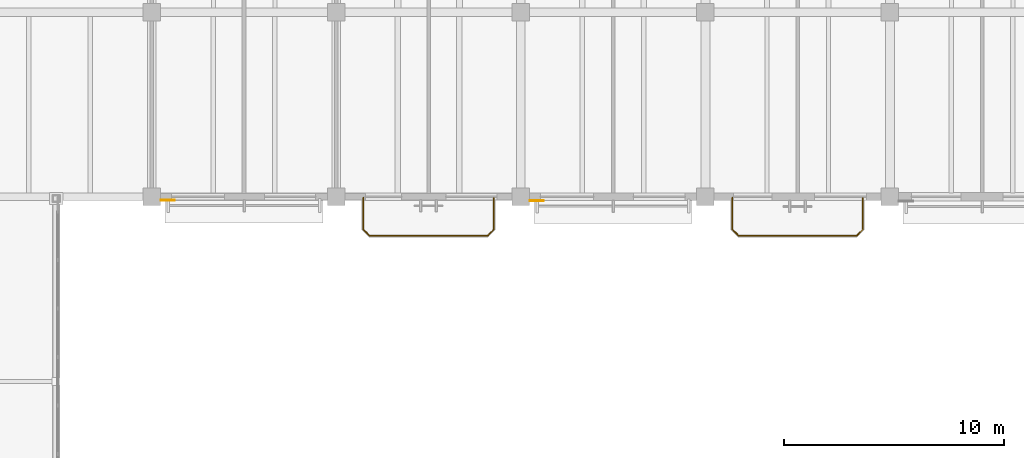
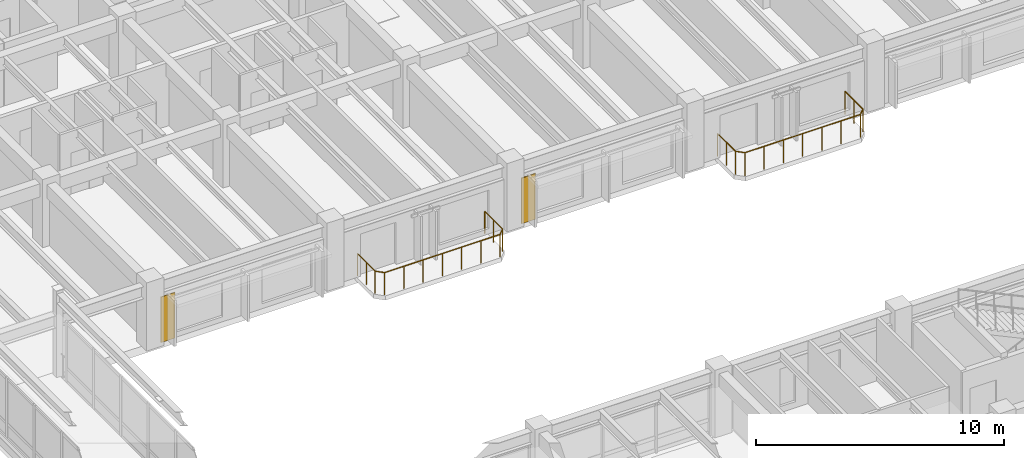
# One storey, part 113 of 123: 2 coverings, 2 railings.
"""IFC4 building model written with IfcOpenShell, lengths in metres."""

from ifc_helpers import new_model, si_unit, direction, frame, origin, origin_2d, place, context, subcontext, project, spatial, polyline, circle, outline, extrude, material, layer, layer_set, type_object, element, save


model = new_model("IFC4")

# Units and contexts
model_context = context("Model", 3, precision=1e-05, world=origin(), true_north=direction((0.0, 1.0)))
body_context = subcontext(model_context, "Body", "Model", "MODEL_VIEW")
ifc_project = project(units=[si_unit("LENGTHUNIT", "METRE"), si_unit("AREAUNIT", "SQUARE_METRE"), si_unit("VOLUMEUNIT", "CUBIC_METRE"), si_unit("PLANEANGLEUNIT", "RADIAN"), si_unit("MASSUNIT", "GRAM", prefix="KILO")], contexts=[model_context])

# Site, building, storey
site_placement = place(None, origin())
site = spatial("IfcSite", under=ifc_project, at=site_placement, CompositionType="ELEMENT")
building_placement = place(site_placement, origin())
building = spatial("IfcBuilding", under=site, at=building_placement, Name="Cumbredor Promenade Congress Hotel", CompositionType="ELEMENT")
storey_placement = place(building_placement, frame((0.0, 0.0, 11.760009765625)))
storey = spatial("IfcBuildingStorey", under=building, at=storey_placement, Name="L03", CompositionType="ELEMENT", Elevation=11.760009765625)

# Covering
ifc_material_1 = material(Name="Precast concrete C40/50", Category="concrete")
ifc_layer_1 = layer(ifc_material_1, 0.044921875, Name="Precast concrete C40/50", Category="concrete")
ifc_layer_set_1 = layer_set([ifc_layer_1], Name="Precast concrete C40/50")
covering_type_1 = type_object("IfcCoveringType", Name="Board-Formed Architectural Cladding Panel 45mm", PredefinedType="CLADDING", material=ifc_layer_set_1)
covering_1_placement = place(storey_placement, origin())
element("IfcCovering", 1, at=covering_1_placement, inside=storey, type_object=covering_type_1, Name="L03 Facade Stone Cladding Pier 154", PredefinedType="CLADDING", context=body_context, shape_type="SweptSolid", body=[
    extrude(outline(polyline([(50.801025390625, 83.83740234375), (51.450927734375, 83.83740234375), (51.450927734375, 83.79248046875), (50.801025390625, 83.79248046875), (50.801025390625, 83.83740234375)])), origin(), (0.0, 0.0, 1.0), 2.25),
])

# Railings
ifc_material_2 = material(Name="Brushed stainless steel", Category="steel")
railing_type_1 = type_object("IfcRailingType", Name="Sky Garden Glass-and-Steel Balustrade BAL-1150", PredefinedType="BALUSTRADE", material=ifc_material_2)
railing_1_placement = place(storey_placement, frame((60.030029296875, 83.949951171875, 0.0)))
element("IfcRailing", 2, at=railing_1_placement, inside=storey, type_object=railing_type_1, Name="L03 Veranda Balcony Balustrade 018", PredefinedType="BALUSTRADE", context=body_context, shape_type="SweptSolid", body=[
    extrude(circle(Radius=0.02392578125, at=origin_2d()), frame((0.0, 0.0, 1.1259765625), z_axis=(0.0, -1.0, 0.0), x_axis=(1.0, 0.0, 0.0)), (0.0, 0.0, 1.0), 1.43994140625),
    extrude(circle(Radius=0.02392578125, at=origin_2d()), frame((0.0, -1.43994140625, 1.1259765625), z_axis=(0.707106781187, -0.707106781187, 0.0), x_axis=(0.707106781187, 0.707106781187, 0.0)), (0.0, 0.0, 1.0), 0.39599609375),
    extrude(circle(Radius=0.02392578125, at=origin_2d()), frame((0.280029296875, -1.719970703125, 1.1259765625), z_axis=(1.0, 0.0, 0.0), x_axis=(0.0, 1.0, 0.0)), (0.0, 0.0, 1.0), 5.3798828125),
    extrude(circle(Radius=0.02392578125, at=origin_2d()), frame((5.659912109375, -1.719970703125, 1.1259765625), z_axis=(0.707106781187, 0.707106781187, 0.0), x_axis=(-0.707106781187, 0.707106781187, 0.0)), (0.0, 0.0, 1.0), 0.39599609375),
    extrude(circle(Radius=0.02392578125, at=origin_2d()), frame((5.93994140625, -1.43994140625, 1.1259765625), z_axis=(0.0, 1.0, 0.0), x_axis=(-1.0, 0.0, 0.0)), (0.0, 0.0, 1.0), 1.43994140625),
    extrude(circle(Radius=0.02099609375, at=origin_2d()), origin(), (0.0, 0.0, 1.0), 1.101806640625),
    extrude(circle(Radius=0.02099609375, at=origin_2d()), frame((0.0, -0.719970703125, 0.0)), (0.0, 0.0, 1.0), 1.101806640625),
    extrude(circle(Radius=0.02099609375, at=origin_2d()), frame((0.0, -1.43994140625, 0.0)), (0.0, 0.0, 1.0), 1.101806640625),
    extrude(circle(Radius=0.02099609375, at=origin_2d()), frame((0.280029296875, -1.719970703125, 0.0)), (0.0, 0.0, 1.0), 1.101806640625),
    extrude(circle(Radius=0.02099609375, at=origin_2d()), frame((1.1767578125, -1.719970703125, 0.0)), (0.0, 0.0, 1.0), 1.101806640625),
    extrude(circle(Radius=0.02099609375, at=origin_2d()), frame((2.0732421875, -1.719970703125, 0.0)), (0.0, 0.0, 1.0), 1.101806640625),
    extrude(circle(Radius=0.02099609375, at=origin_2d()), frame((2.969970703125, -1.719970703125, 0.0)), (0.0, 0.0, 1.0), 1.101806640625),
    extrude(circle(Radius=0.02099609375, at=origin_2d()), frame((3.86669921875, -1.719970703125, 0.0)), (0.0, 0.0, 1.0), 1.101806640625),
    extrude(circle(Radius=0.02099609375, at=origin_2d()), frame((4.76318359375, -1.719970703125, 0.0)), (0.0, 0.0, 1.0), 1.101806640625),
    extrude(circle(Radius=0.02099609375, at=origin_2d()), frame((5.659912109375, -1.719970703125, 0.0)), (0.0, 0.0, 1.0), 1.101806640625),
    extrude(circle(Radius=0.02099609375, at=origin_2d()), frame((5.93994140625, -1.43994140625, 0.0)), (0.0, 0.0, 1.0), 1.101806640625),
    extrude(circle(Radius=0.02099609375, at=origin_2d()), frame((5.93994140625, -0.719970703125, 0.0)), (0.0, 0.0, 1.0), 1.101806640625),
    extrude(circle(Radius=0.02099609375, at=origin_2d()), frame((5.93994140625, 0.0, 0.0)), (0.0, 0.0, 1.0), 1.101806640625),
])
railing_type_2 = type_object("IfcRailingType", Name="Terrace Perimeter Balustrade BAL-1120", PredefinedType="BALUSTRADE", material=ifc_material_2)
railing_2_placement = place(storey_placement, frame((43.22998046875, 83.949951171875, 0.0)))
element("IfcRailing", 3, at=railing_2_placement, inside=storey, type_object=railing_type_2, Name="L03 Veranda Balcony Balustrade 017", PredefinedType="BALUSTRADE", context=body_context, shape_type="SweptSolid", body=[
    extrude(circle(Radius=0.02392578125, at=origin_2d()), frame((0.0, 0.0, 1.09619140625), z_axis=(0.0, -1.0, 0.0), x_axis=(1.0, 0.0, 0.0)), (0.0, 0.0, 1.0), 1.43994140625),
    extrude(circle(Radius=0.02392578125, at=origin_2d()), frame((0.0, -1.43994140625, 1.09619140625), z_axis=(0.707106781187, -0.707106781187, 0.0), x_axis=(0.707106781187, 0.707106781187, 0.0)), (0.0, 0.0, 1.0), 0.39599609375),
    extrude(circle(Radius=0.02392578125, at=origin_2d()), frame((0.280029296875, -1.719970703125, 1.09619140625), z_axis=(1.0, 0.0, 0.0), x_axis=(0.0, 1.0, 0.0)), (0.0, 0.0, 1.0), 5.3798828125),
    extrude(circle(Radius=0.02392578125, at=origin_2d()), frame((5.659912109375, -1.719970703125, 1.09619140625), z_axis=(0.707106781187, 0.707106781187, 0.0), x_axis=(-0.707106781187, 0.707106781187, 0.0)), (0.0, 0.0, 1.0), 0.39599609375),
    extrude(circle(Radius=0.02392578125, at=origin_2d()), frame((5.93994140625, -1.43994140625, 1.09619140625), z_axis=(0.0, 1.0, 0.0), x_axis=(-1.0, 0.0, 0.0)), (0.0, 0.0, 1.0), 1.43994140625),
    extrude(circle(Radius=0.02099609375, at=origin_2d()), origin(), (0.0, 0.0, 1.0), 1.072021484375),
    extrude(circle(Radius=0.02099609375, at=origin_2d()), frame((0.0, -0.719970703125, 0.0)), (0.0, 0.0, 1.0), 1.072021484375),
    extrude(circle(Radius=0.02099609375, at=origin_2d()), frame((0.0, -1.43994140625, 0.0)), (0.0, 0.0, 1.0), 1.072021484375),
    extrude(circle(Radius=0.02099609375, at=origin_2d()), frame((0.280029296875, -1.719970703125, 0.0)), (0.0, 0.0, 1.0), 1.072021484375),
    extrude(circle(Radius=0.02099609375, at=origin_2d()), frame((1.1767578125, -1.719970703125, 0.0)), (0.0, 0.0, 1.0), 1.072021484375),
    extrude(circle(Radius=0.02099609375, at=origin_2d()), frame((2.0732421875, -1.719970703125, 0.0)), (0.0, 0.0, 1.0), 1.072021484375),
    extrude(circle(Radius=0.02099609375, at=origin_2d()), frame((2.969970703125, -1.719970703125, 0.0)), (0.0, 0.0, 1.0), 1.072021484375),
    extrude(circle(Radius=0.02099609375, at=origin_2d()), frame((3.86669921875, -1.719970703125, 0.0)), (0.0, 0.0, 1.0), 1.072021484375),
    extrude(circle(Radius=0.02099609375, at=origin_2d()), frame((4.76318359375, -1.719970703125, 0.0)), (0.0, 0.0, 1.0), 1.072021484375),
    extrude(circle(Radius=0.02099609375, at=origin_2d()), frame((5.659912109375, -1.719970703125, 0.0)), (0.0, 0.0, 1.0), 1.072021484375),
    extrude(circle(Radius=0.02099609375, at=origin_2d()), frame((5.93994140625, -1.43994140625, 0.0)), (0.0, 0.0, 1.0), 1.072021484375),
    extrude(circle(Radius=0.02099609375, at=origin_2d()), frame((5.93994140625, -0.719970703125, 0.0)), (0.0, 0.0, 1.0), 1.072021484375),
    extrude(circle(Radius=0.02099609375, at=origin_2d()), frame((5.93994140625, 0.0, 0.0)), (0.0, 0.0, 1.0), 1.072021484375),
])

# Covering
ifc_material_3 = material(Name="Volcanic andesite ashlar cladding", Category="masonry")
ifc_layer_2 = layer(ifc_material_3, 0.034912109375, Name="Volcanic andesite ashlar cladding", Category="masonry")
ifc_layer_set_2 = layer_set([ifc_layer_2], Name="Volcanic andesite ashlar cladding")
covering_type_2 = type_object("IfcCoveringType", Name="Volcanic Andesite Ashlar Rainscreen Cladding 35mm", PredefinedType="CLADDING", material=ifc_layer_set_2)
covering_2_placement = place(storey_placement, origin())
element("IfcCovering", 4, at=covering_2_placement, inside=storey, type_object=covering_type_2, Name="L03 Facade Stone Cladding Pier 153", PredefinedType="CLADDING", context=body_context, shape_type="SweptSolid", body=[
    extrude(outline(polyline([(34.0009765625, 83.860107421875), (34.65087890625, 83.860107421875), (34.65087890625, 83.824951171875), (34.0009765625, 83.824951171875), (34.0009765625, 83.860107421875)])), origin(), (0.0, 0.0, 1.0), 2.25),
])

save(model, "model.ifc")
